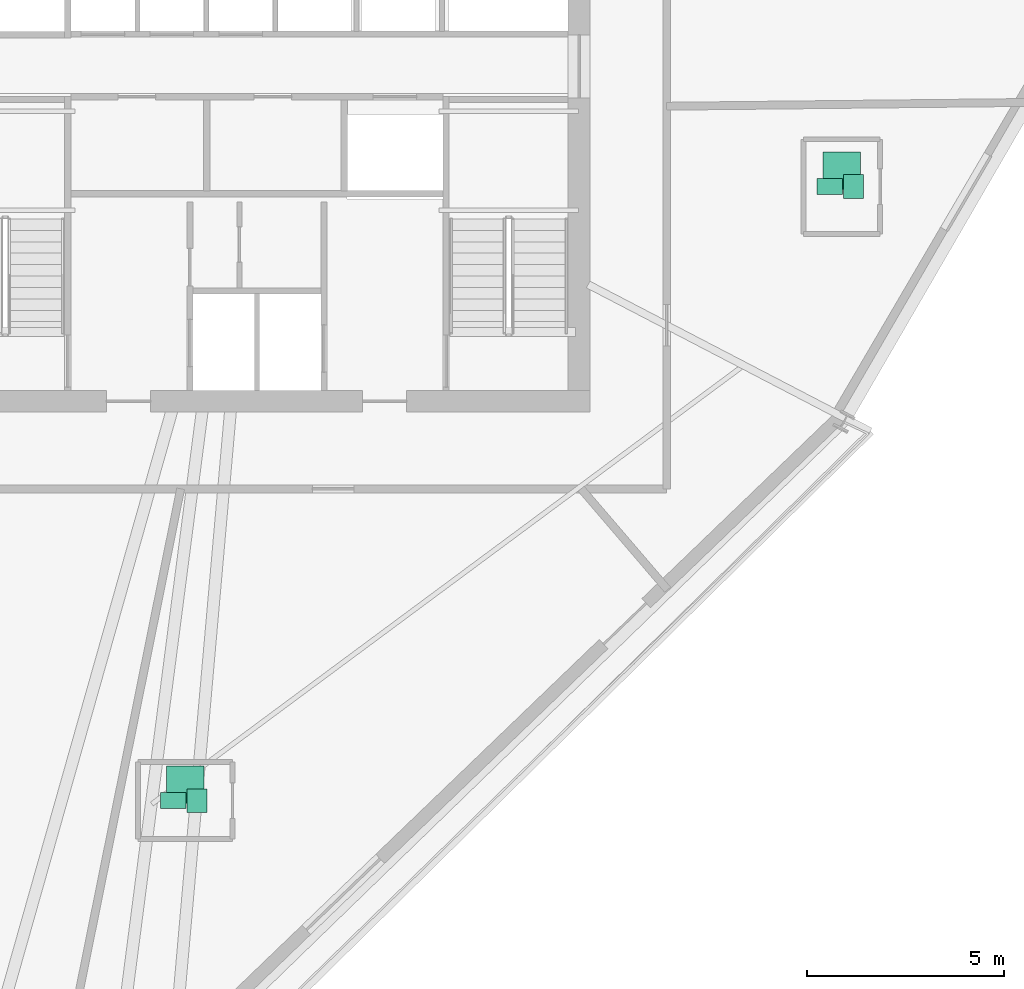
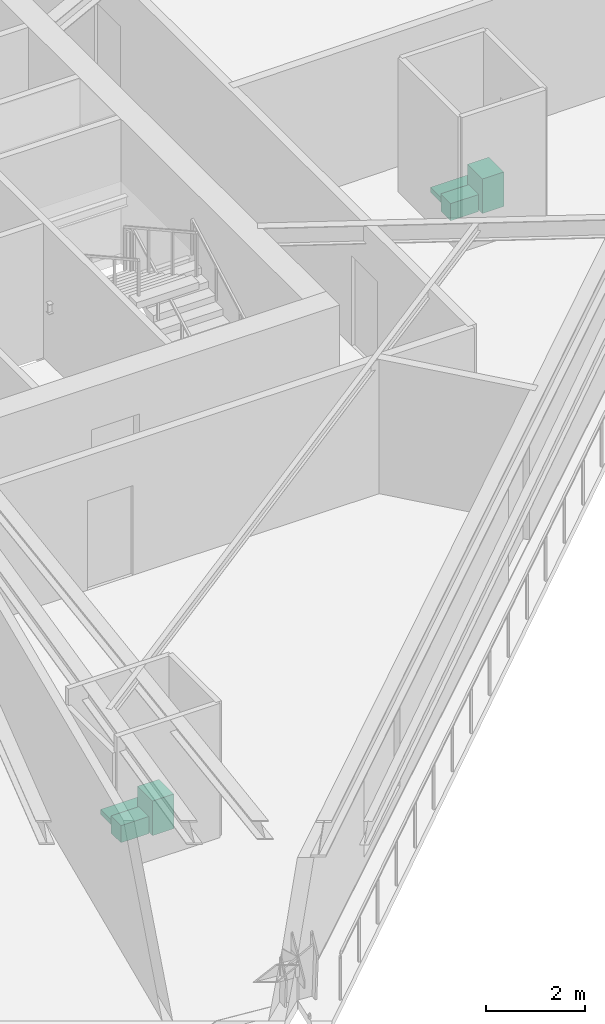
# One storey, part 15 of 15: 6 sanitary terminals.
"""IFC4 building model written with IfcOpenShell, lengths in metres."""

import ifcopenshell
import ifcopenshell.guid

model = None  # the IFC model being written
_history = None  # IfcOwnerHistory: only IFC2X3 demands one
_inside = {}  # id of a spatial element -> (the spatial element, [elements in it])
_under = {}  # id of a project, library or spatial element -> (it, [spatial elements below it])
_declared = {}  # id of a project -> (the project, [libraries it declares])
_typed = {}  # id of a type object -> (the type object, [elements of that type])
_made_of = {}  # id of a material, layer set ... -> (it, [elements and type objects made of it])


def new_model(schema):
    """Start an empty IFC model of exactly this schema.

    Asked for "IFC4X3", IfcOpenShell would pick the latest addendum, in which some entities
    have other attributes; the version numbers below select the first issue.
    IFC2X3 requires an IfcOwnerHistory on every rooted entity: one is made here for all.
    """
    global model, _history
    if schema == "IFC4X3":
        model = ifcopenshell.file(schema_version=(4, 3, 0, 0))
    else:
        model = ifcopenshell.file(schema=schema)
    _inside.clear()
    _under.clear()
    _declared.clear()
    _typed.clear()
    _made_of.clear()
    _history = None
    if model.schema == "IFC2X3":
        org = make("IfcOrganization", Name="unknown")
        user = make(
            "IfcPersonAndOrganization",
            ThePerson=make("IfcPerson", FamilyName="unknown"),
            TheOrganization=org,
        )
        app = make(
            "IfcApplication",
            ApplicationDeveloper=org,
            Version="unknown",
            ApplicationFullName="unknown",
            ApplicationIdentifier="unknown",
        )
        _history = make(
            "IfcOwnerHistory",
            OwningUser=user,
            OwningApplication=app,
            ChangeAction="ADDED",
            CreationDate=0,
        )
    return model


def make(cls, **values):
    """One entity of the class cls with the attributes given. An attribute that is None is left unset."""
    return model.create_entity(
        cls, **{name: value for name, value in values.items() if value is not None}
    )


def rooted(cls, **values):
    """An entity with a GlobalId (a new one), such as an element, a storey or a relation."""
    return make(cls, GlobalId=ifcopenshell.guid.new(), OwnerHistory=_history, **values)


def si_unit(unit_type, name, prefix=None):
    """IfcSIUnit, for example si_unit("LENGTHUNIT", "METRE", prefix="MILLI")."""
    return make("IfcSIUnit", UnitType=unit_type, Prefix=prefix, Name=name)


def assignment(units):
    """IfcUnitAssignment: the units of a project."""
    return None if units is None else make("IfcUnitAssignment", Units=units)


def point(xyz):
    """IfcCartesianPoint."""
    return None if xyz is None else make("IfcCartesianPoint", Coordinates=xyz)


def direction(xyz):
    """IfcDirection."""
    return None if xyz is None else make("IfcDirection", DirectionRatios=xyz)


def frame(location, z_axis=None, x_axis=None):
    """IfcAxis2Placement3D, a coordinate frame: its origin and axes. An axis left out is left unset."""
    return make(
        "IfcAxis2Placement3D",
        Location=point(location),
        Axis=direction(z_axis),
        RefDirection=direction(x_axis),
    )


def frame_2d(location, x_axis=None):
    """IfcAxis2Placement2D, a coordinate frame in the plane: its origin and x axis."""
    return make(
        "IfcAxis2Placement2D", Location=point(location), RefDirection=direction(x_axis)
    )


def origin():
    """The frame at (0, 0, 0) with its axes left unset."""
    return frame((0.0, 0.0, 0.0))


def origin_2d():
    """The frame at (0, 0) in the plane with its x axis left unset."""
    return frame_2d((0.0, 0.0))


def place(relative_to, where):
    """IfcLocalPlacement: puts the frame where relative to a parent placement (None: the world)."""
    return make(
        "IfcLocalPlacement", PlacementRelTo=relative_to, RelativePlacement=where
    )


def context(
    kind, dimensions, precision=None, world=None, true_north=None, identifier=None
):
    """IfcGeometricRepresentationContext, for example the 3D "Model" context."""
    return make(
        "IfcGeometricRepresentationContext",
        ContextIdentifier=identifier,
        ContextType=kind,
        CoordinateSpaceDimension=dimensions,
        Precision=precision,
        WorldCoordinateSystem=world,
        TrueNorth=true_north,
    )


def subcontext(parent, identifier, kind, view, scale=None):
    """IfcGeometricRepresentationSubContext, for example "Body" below "Model"."""
    return make(
        "IfcGeometricRepresentationSubContext",
        ContextIdentifier=identifier,
        ContextType=kind,
        ParentContext=parent,
        TargetScale=scale,
        TargetView=view,
    )


def project(units=None, contexts=None):
    """IfcProject with its units and contexts."""
    return rooted(
        "IfcProject",
        Name="project",
        RepresentationContexts=contexts,
        UnitsInContext=assignment(units),
    )


def spatial(cls, under=None, at=None, **own):
    """A site, building, storey or space (cls), placed at a placement, below another one or the project."""
    s = rooted(cls, ObjectPlacement=at, **own)
    if under is not None:
        _under.setdefault(under.id(), (under, []))[1].append(s)
    return s


def profile(cls, at=None, kind="AREA", **sizes):
    """A parametric profile (cls). Its sizes go by their IFC names, for example OverallWidth=200.0."""
    return make(cls, ProfileType=kind, Position=at, **sizes)


def rectangle(**sizes):
    """IfcRectangleProfileDef."""
    return profile("IfcRectangleProfileDef", **sizes)


def extrude(swept, where, along, depth):
    """IfcExtrudedAreaSolid: the profile swept, set in the frame where, extruded along a direction by depth."""
    return make(
        "IfcExtrudedAreaSolid",
        SweptArea=swept,
        Position=where,
        ExtrudedDirection=direction(along),
        Depth=depth,
    )


def shape(context_of_items, identifier, shape_type, items):
    """IfcShapeRepresentation: the items that make up one representation, for example the "Body"."""
    return make(
        "IfcShapeRepresentation",
        ContextOfItems=context_of_items,
        RepresentationIdentifier=identifier,
        RepresentationType=shape_type,
        Items=items,
    )


def source(mapping_origin, context_of_items, identifier, shape_type, items):
    """IfcRepresentationMap: a shape defined once, which mapped items show again and again."""
    return make(
        "IfcRepresentationMap",
        MappingOrigin=mapping_origin,
        MappedRepresentation=shape(context_of_items, identifier, shape_type, items),
    )


def transform(
    local_origin,
    x_axis=None,
    y_axis=None,
    z_axis=None,
    scale=None,
    scale2=None,
    scale3=None,
    uniform=True,
):
    """IfcCartesianTransformationOperator3D, or its non-uniform kind. x_axis, y_axis, z_axis: its Axis1, 2, 3."""
    if uniform:
        return make(
            "IfcCartesianTransformationOperator3D",
            Axis1=direction(x_axis),
            Axis2=direction(y_axis),
            LocalOrigin=point(local_origin),
            Scale=scale,
            Axis3=direction(z_axis),
        )
    return make(
        "IfcCartesianTransformationOperator3DnonUniform",
        Axis1=direction(x_axis),
        Axis2=direction(y_axis),
        LocalOrigin=point(local_origin),
        Scale=scale,
        Axis3=direction(z_axis),
        Scale2=scale2,
        Scale3=scale3,
    )


def mapped(mapping_source, mapping_target):
    """IfcMappedItem: shows the shape of a source again, moved by a transform."""
    return make(
        "IfcMappedItem", MappingSource=mapping_source, MappingTarget=mapping_target
    )


def material(Name=None, Category=None):
    """IfcMaterial."""
    return make("IfcMaterial", Name=Name, Category=Category)


def made_of(thing, what):
    """Note that an element or type object is made of a material, layer set ...; save() writes the relation."""
    if what is not None:
        _made_of.setdefault(what.id(), (what, []))[1].append(thing)
    return thing


def type_object(cls, material=None, **own):
    """A type object (cls), such as IfcWallType, which elements share."""
    return made_of(rooted(cls, **own), material)


def element(
    cls,
    number,
    at=None,
    inside=None,
    cuts=None,
    type_object=None,
    material=None,
    context=None,
    identifier="Body",
    shape_type=None,
    held_by="IfcProductDefinitionShape",
    body=None,
    shapes=None,
    **own,
):
    """One element of the class cls, such as IfcWall. Its Tag is "e" and its number.

    at: its placement. inside: the storey or other place that contains it. cuts: it is an
    opening in that element (IfcRelVoidsElement). A single representation is given by context,
    identifier, shape_type and body (its items); several are given by shapes. held_by: the class
    of the entity that holds the representations. save() writes the other relations.
    """
    e = rooted(cls, Tag="e%d" % number, ObjectPlacement=at, **own)
    if body is not None:
        shapes = [shape(context, identifier, shape_type, body)]
    if shapes is not None:
        e.Representation = make(held_by, Representations=shapes)
    if inside is not None:
        _inside.setdefault(inside.id(), (inside, []))[1].append(e)
    if cuts is not None:
        rooted(
            "IfcRelVoidsElement", RelatingBuildingElement=cuts, RelatedOpeningElement=e
        )
    if type_object is not None:
        _typed.setdefault(type_object.id(), (type_object, []))[1].append(e)
    return made_of(e, material)


def aggregate(whole, parts):
    """IfcRelAggregates: a whole, such as a stair, and the parts it consists of."""
    return rooted("IfcRelAggregates", RelatingObject=whole, RelatedObjects=parts)


def save(model, path):
    """Write the relations noted so far, then the file.

    IfcRelAggregates (storeys below a building ...), IfcRelContainedInSpatialStructure (elements
    in a storey), IfcRelDefinesByType, IfcRelAssociatesMaterial and IfcRelDeclares: one each for
    every whole, place, type object, material and project.
    """
    for whole, parts in _under.values():
        aggregate(whole, parts)
    for where, things in _inside.values():
        rooted(
            "IfcRelContainedInSpatialStructure",
            RelatedElements=things,
            RelatingStructure=where,
        )
    for kind, things in _typed.values():
        rooted("IfcRelDefinesByType", RelatedObjects=things, RelatingType=kind)
    for what, things in _made_of.values():
        rooted("IfcRelAssociatesMaterial", RelatedObjects=things, RelatingMaterial=what)
    for by, libraries in _declared.values():
        rooted("IfcRelDeclares", RelatingContext=by, RelatedDefinitions=libraries)
    model.write(path)


model = new_model("IFC4")

# Units and contexts
model_context = context("Model", 3, precision=1e-05, world=origin(), true_north=direction((0.0, 1.0)))
body_context = subcontext(model_context, "Body", "Model", "MODEL_VIEW")
ifc_project = project(units=[si_unit("LENGTHUNIT", "METRE"), si_unit("AREAUNIT", "SQUARE_METRE"), si_unit("VOLUMEUNIT", "CUBIC_METRE"), si_unit("PLANEANGLEUNIT", "RADIAN"), si_unit("MASSUNIT", "GRAM", prefix="KILO")], contexts=[model_context])

# Site, building, storey
site_placement = place(None, origin())
site = spatial("IfcSite", under=ifc_project, at=site_placement, CompositionType="ELEMENT")
building_placement = place(site_placement, origin())
building = spatial("IfcBuilding", under=site, at=building_placement, Name="Olszyna Solenne Hotel", CompositionType="ELEMENT")
storey_placement = place(building_placement, frame((0.0, 0.0, 150.14990234375)))
storey = spatial("IfcBuildingStorey", under=building, at=storey_placement, Name="L39", CompositionType="ELEMENT", Elevation=150.14990234375)

# Sanitary terminals
ifc_material = material(Name="Porcelain ceramic")
sanitary_terminal_type_1 = type_object("IfcSanitaryTerminalType", Name="SAN-WC", PredefinedType="TOILETPAN", material=ifc_material)
shared_shape_1 = source(origin(), body_context, "Body", "SweptSolid", [
    extrude(rectangle(XDim=0.64990234375, YDim=0.39990234375, at=origin_2d()), origin(), (0.0, 0.0, 1.0), 0.419921875),
])
for number, where, z_axis, x_axis, name in (
    (1, (35.8798828125, 9.087890625, 0.000244140625), (0.0, 0.0, 1.0), (1.0, 0.0, 0.0), "Wall-hung WC pan WC-0014"),
    (2, (52.5419921875, 24.6708984375, 0.000244140625), (0.0, 0.0, 1.0), (1.0, 0.0, 0.0), "Wall-hung WC pan WC-0015"),
):
    element("IfcSanitaryTerminal", number, at=place(storey_placement, frame(where, z_axis=z_axis, x_axis=x_axis)), inside=storey, type_object=sanitary_terminal_type_1, Name=name, PredefinedType="TOILETPAN", context=body_context, shape_type="MappedRepresentation", body=[
        mapped(shared_shape_1, transform((0.0, 0.0, 0.0), x_axis=(1.0, 0.0, 0.0), y_axis=(0.0, 1.0, 0.0), z_axis=(0.0, 0.0, 1.0), scale=1.0)),
    ])
sanitary_terminal_type_2 = type_object("IfcSanitaryTerminalType", Name="SAN-BS", PredefinedType="WASHHANDBASIN", material=ifc_material)
shared_shape_2 = source(origin(), body_context, "Body", "SweptSolid", [
    extrude(rectangle(XDim=0.5, YDim=0.60009765625, at=origin_2d()), origin(), (0.0, 0.0, 1.0), 0.85009765625),
])
for number, where, z_axis, x_axis, name in (
    (3, (36.47998046875, 9.087890625, 0.0), (0.0, 0.0, 1.0), (1.0, 0.0, 0.0), "Vanity washbasin BS-0014"),
    (4, (53.14208984375, 24.6708984375, 0.0), (0.0, 0.0, 1.0), (1.0, 0.0, 0.0), "Vanity washbasin BS-0015"),
):
    element("IfcSanitaryTerminal", number, at=place(storey_placement, frame(where, z_axis=z_axis, x_axis=x_axis)), inside=storey, type_object=sanitary_terminal_type_2, Name=name, PredefinedType="WASHHANDBASIN", context=body_context, shape_type="MappedRepresentation", body=[
        mapped(shared_shape_2, transform((0.0, 0.0, 0.0), x_axis=(1.0, 0.0, 0.0), y_axis=(0.0, 1.0, 0.0), z_axis=(0.0, 0.0, 1.0), scale=1.0)),
    ])
sanitary_terminal_type_3 = type_object("IfcSanitaryTerminalType", Name="SAN-SH", PredefinedType="SHOWER", material=ifc_material)
shared_shape_3 = source(origin(), body_context, "Body", "SweptSolid", [
    extrude(rectangle(XDim=0.949951171875, YDim=0.949951171875, at=origin_2d()), origin(), (0.0, 0.0, 1.0), 0.1201171875),
])
for number, where, z_axis, x_axis, name in (
    (5, (36.179931640625, 9.488037109375, 0.0), (0.0, 0.0, 1.0), (1.0, 0.0, 0.0), "Walk-in shower tray SH-0014"),
    (6, (52.842041015625, 25.071044921875, 0.0), (0.0, 0.0, 1.0), (1.0, 0.0, 0.0), "Walk-in shower tray SH-0015"),
):
    element("IfcSanitaryTerminal", number, at=place(storey_placement, frame(where, z_axis=z_axis, x_axis=x_axis)), inside=storey, type_object=sanitary_terminal_type_3, Name=name, PredefinedType="SHOWER", context=body_context, shape_type="MappedRepresentation", body=[
        mapped(shared_shape_3, transform((0.0, 0.0, 0.0), x_axis=(1.0, 0.0, 0.0), y_axis=(0.0, 1.0, 0.0), z_axis=(0.0, 0.0, 1.0), scale=1.0)),
    ])

save(model, "model.ifc")
